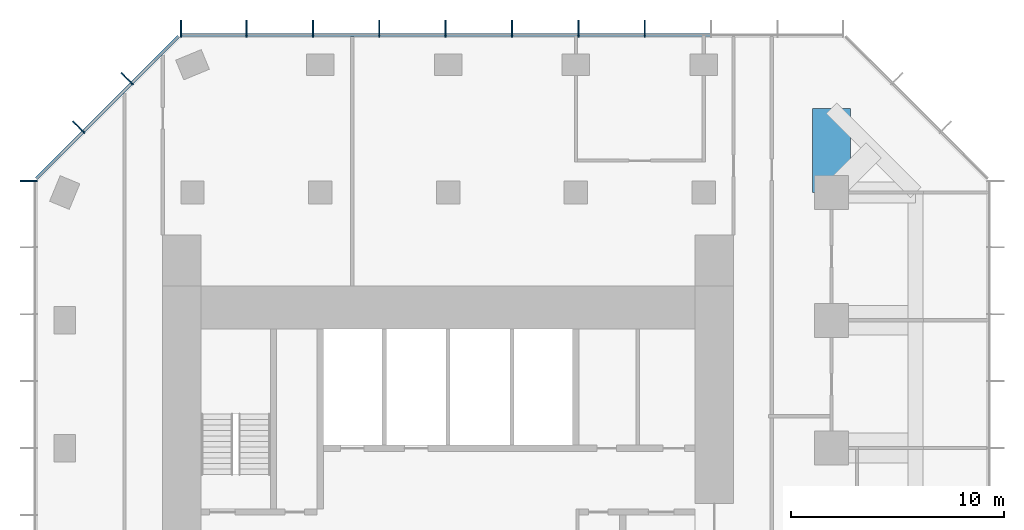
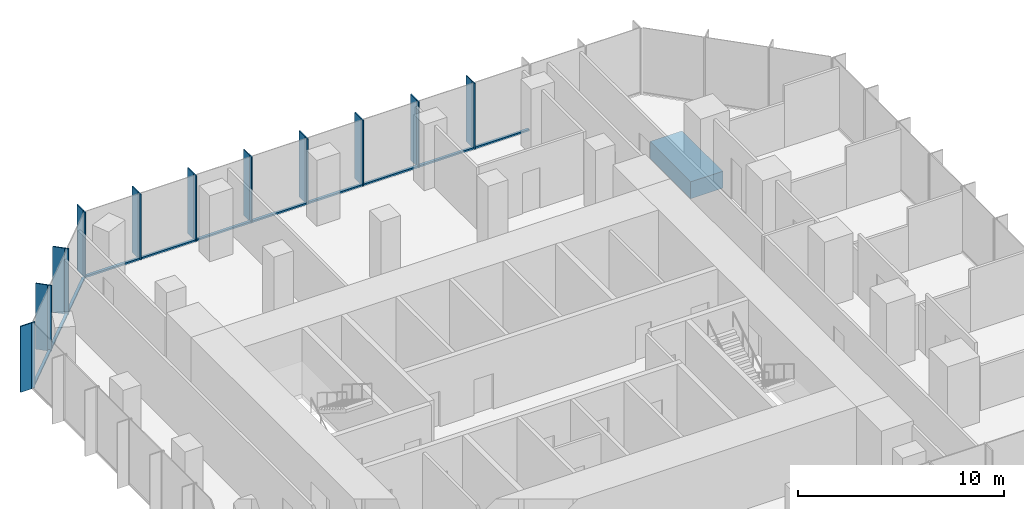
# One storey, part 5 of 10: 33 members, 1 beam, 3 elements without a shape of their own.
"""IFC4 building model written with IfcOpenShell, lengths in metres."""

from ifc_helpers import new_model, si_unit, direction, frame, origin, origin_2d, place, context, subcontext, project, spatial, rectangle, extrude, material, layer, layer_set, material_profile, profile_set, type_object, element, aggregate, save


model = new_model("IFC4")

# Units and contexts
model_context = context("Model", 3, precision=1e-05, world=origin(), true_north=direction((0.0, 1.0)))
body_context = subcontext(model_context, "Body", "Model", "MODEL_VIEW")
ifc_project = project(units=[si_unit("LENGTHUNIT", "METRE"), si_unit("AREAUNIT", "SQUARE_METRE"), si_unit("VOLUMEUNIT", "CUBIC_METRE"), si_unit("PLANEANGLEUNIT", "RADIAN"), si_unit("MASSUNIT", "GRAM", prefix="KILO")], contexts=[model_context])

# Site, building, storey
site_placement = place(None, origin())
site = spatial("IfcSite", under=ifc_project, at=site_placement, CompositionType="ELEMENT")
building_placement = place(site_placement, origin())
building = spatial("IfcBuilding", under=site, at=building_placement, Name="Highveld Stack Headquarters", CompositionType="ELEMENT")
storey_placement = place(building_placement, frame((0.0, 0.0, 248.89990234375)))
storey = spatial("IfcBuildingStorey", under=building, at=storey_placement, Name="L61", CompositionType="ELEMENT", Elevation=248.89990234375)

# Beam
ifc_material_1 = material(Name="Concrete C60/75", Category="concrete")
ifc_material_profile_1 = material_profile(ifc_material_1, rectangle(XDim=1.800048828125, YDim=1.0, at=origin_2d()), Name="RC 1800x1000")
ifc_profile_set_1 = profile_set([ifc_material_profile_1], Name="Concrete C60/75")
beam_type = type_object("IfcBeamType", Name="CANTILEVER RIB RC 1800x1000", PredefinedType="USERDEFINED", material=ifc_profile_set_1)
beam_placement = place(storey_placement, frame((24.0, 18.0, -0.75), z_axis=(0.0, 1.0, 0.0), x_axis=(-1.0, 0.0, 0.0)))
element("IfcBeam", 1, at=beam_placement, inside=storey, type_object=beam_type, Name="Cantilever rib 10/H L61", ObjectType="CANTILEVER RIB", PredefinedType="USERDEFINED", context=body_context, shape_type="SweptSolid", body=[
    extrude(rectangle(XDim=1.800048828125, YDim=1.0, at=origin_2d()), origin(), (0.0, 0.0, 1.0), 3.949951171875),
])

# Curtain wall, members
ifc_material_2 = material(Name="Aluminium bronze anodised", Category="aluminium")
ifc_layer = layer(ifc_material_2, 0.199951171875)
ifc_layer_set = layer_set([ifc_layer], Name="Aluminium bronze anodised")
curtain_wall_type = type_object("IfcCurtainWallType", Name="CW5 EXECUTIVE UNITISED CURTAIN WALL", PredefinedType="NOTDEFINED", material=ifc_layer_set)
curtain_wall_1_placement = place(storey_placement, origin())
curtain_wall_1 = element("IfcCurtainWall", 2, at=curtain_wall_1_placement, inside=storey, type_object=curtain_wall_type, Name="Curtain wall CW5 L61 N", PredefinedType="NOTDEFINED")
ifc_material_3 = material(Name="Aluminium bronze anodised", Category="aluminium")
ifc_material_profile_2 = material_profile(ifc_material_3, rectangle(XDim=0.60009765625, YDim=0.06005859375, at=origin_2d()), Name="FIN 600x60")
ifc_profile_set_2 = profile_set([ifc_material_profile_2], Name="Aluminium bronze anodised")
member_type_1 = type_object("IfcMemberType", Name="CW5 BRONZE FIN 600x60", PredefinedType="USERDEFINED", material=ifc_profile_set_2)
member_1_placement = place(storey_placement, frame((15.23193359375, 25.800048828125, 0.0), z_axis=(0.0, 0.0, 1.0), x_axis=(0.0, -1.0, 0.0)))
member_1 = element("IfcMember", 3, at=member_1_placement, type_object=member_type_1, Name="CW5 fin L61 4", ObjectType="FIN", PredefinedType="USERDEFINED", context=body_context, shape_type="SweptSolid", body=[
    extrude(rectangle(XDim=0.60009765625, YDim=0.06005859375, at=origin_2d()), origin(), (0.0, 0.0, 1.0), 3.900146484375),
])
member_2_placement = place(storey_placement, frame((12.115966796875, 25.800048828125, 0.0), z_axis=(0.0, 0.0, 1.0), x_axis=(0.0, -1.0, 0.0)))
member_2 = element("IfcMember", 4, at=member_2_placement, type_object=member_type_1, Name="CW5 fin L61 5", ObjectType="FIN", PredefinedType="USERDEFINED", context=body_context, shape_type="SweptSolid", body=[
    extrude(rectangle(XDim=0.60009765625, YDim=0.06005859375, at=origin_2d()), origin(), (0.0, 0.0, 1.0), 3.900146484375),
])
member_3_placement = place(storey_placement, frame((9.0, 25.800048828125, 0.0), z_axis=(0.0, 0.0, 1.0), x_axis=(0.0, -1.0, 0.0)))
member_3 = element("IfcMember", 5, at=member_3_placement, type_object=member_type_1, Name="CW5 fin L61 6", ObjectType="FIN", PredefinedType="USERDEFINED", context=body_context, shape_type="SweptSolid", body=[
    extrude(rectangle(XDim=0.60009765625, YDim=0.06005859375, at=origin_2d()), origin(), (0.0, 0.0, 1.0), 3.900146484375),
])
member_4_placement = place(storey_placement, frame((5.884033203125, 25.800048828125, 0.0), z_axis=(0.0, 0.0, 1.0), x_axis=(0.0, -1.0, 0.0)))
member_4 = element("IfcMember", 6, at=member_4_placement, type_object=member_type_1, Name="CW5 fin L61 7", ObjectType="FIN", PredefinedType="USERDEFINED", context=body_context, shape_type="SweptSolid", body=[
    extrude(rectangle(XDim=0.60009765625, YDim=0.06005859375, at=origin_2d()), origin(), (0.0, 0.0, 1.0), 3.900146484375),
])
member_5_placement = place(storey_placement, frame((2.76806640625, 25.800048828125, 0.0), z_axis=(0.0, 0.0, 1.0), x_axis=(0.0, -1.0, 0.0)))
member_5 = element("IfcMember", 7, at=member_5_placement, type_object=member_type_1, Name="CW5 fin L61 8", ObjectType="FIN", PredefinedType="USERDEFINED", context=body_context, shape_type="SweptSolid", body=[
    extrude(rectangle(XDim=0.60009765625, YDim=0.06005859375, at=origin_2d()), origin(), (0.0, 0.0, 1.0), 3.900146484375),
])
member_6_placement = place(storey_placement, frame((-0.347900390625, 25.800048828125, 0.0), z_axis=(0.0, 0.0, 1.0), x_axis=(0.0, -1.0, 0.0)))
member_6 = element("IfcMember", 8, at=member_6_placement, type_object=member_type_1, Name="CW5 fin L61 9", ObjectType="FIN", PredefinedType="USERDEFINED", context=body_context, shape_type="SweptSolid", body=[
    extrude(rectangle(XDim=0.60009765625, YDim=0.06005859375, at=origin_2d()), origin(), (0.0, 0.0, 1.0), 3.900146484375),
])
member_7_placement = place(storey_placement, frame((-3.4638671875, 25.800048828125, 0.0), z_axis=(0.0, 0.0, 1.0), x_axis=(0.0, -1.0, 0.0)))
member_7 = element("IfcMember", 9, at=member_7_placement, type_object=member_type_1, Name="CW5 fin L61 10", ObjectType="FIN", PredefinedType="USERDEFINED", context=body_context, shape_type="SweptSolid", body=[
    extrude(rectangle(XDim=0.60009765625, YDim=0.06005859375, at=origin_2d()), origin(), (0.0, 0.0, 1.0), 3.900146484375),
])
member_8_placement = place(storey_placement, frame((-6.54736328125, 25.800048828125, 0.0), z_axis=(0.0, 0.0, 1.0), x_axis=(0.0, -1.0, 0.0)))
member_8 = element("IfcMember", 10, at=member_8_placement, type_object=member_type_1, Name="CW5 fin L61 11", ObjectType="FIN", PredefinedType="USERDEFINED", context=body_context, shape_type="SweptSolid", body=[
    extrude(rectangle(XDim=0.60009765625, YDim=0.06005859375, at=origin_2d()), origin(), (0.0, 0.0, 1.0), 3.900146484375),
])

curtain_wall_2_placement = place(storey_placement, origin())
curtain_wall_2 = element("IfcCurtainWall", 11, at=curtain_wall_2_placement, inside=storey, type_object=curtain_wall_type, Name="Curtain wall CW5 L61 NW", PredefinedType="NOTDEFINED")
member_9_placement = place(storey_placement, frame((-9.135986328125, 23.409423828125, 0.0), z_axis=(0.0, 0.0, 1.0), x_axis=(0.707106781187, -0.707106781187, 0.0)))
member_9 = element("IfcMember", 12, at=member_9_placement, type_object=member_type_1, Name="CW5 fin L61 1", ObjectType="FIN", PredefinedType="USERDEFINED", context=body_context, shape_type="SweptSolid", body=[
    extrude(rectangle(XDim=0.60009765625, YDim=0.06005859375, at=origin_2d()), origin(), (0.0, 0.0, 1.0), 3.900146484375),
])
member_10_placement = place(storey_placement, frame((-11.409423828125, 21.135986328125, 0.0), z_axis=(0.0, 0.0, 1.0), x_axis=(0.707106781187, -0.707106781187, 0.0)))
member_10 = element("IfcMember", 13, at=member_10_placement, type_object=member_type_1, Name="CW5 fin L61 2", ObjectType="FIN", PredefinedType="USERDEFINED", context=body_context, shape_type="SweptSolid", body=[
    extrude(rectangle(XDim=0.60009765625, YDim=0.06005859375, at=origin_2d()), origin(), (0.0, 0.0, 1.0), 3.900146484375),
])

# Curtain wall, member
curtain_wall_3_placement = place(storey_placement, origin())
curtain_wall_3 = element("IfcCurtainWall", 14, at=curtain_wall_3_placement, inside=storey, type_object=curtain_wall_type, Name="Curtain wall CW5 L61 W", PredefinedType="NOTDEFINED")
member_11_placement = place(storey_placement, frame((-13.800048828125, 18.54736328125, 0.0), z_axis=(0.0, 0.0, 1.0), x_axis=(1.0, 0.0, 0.0)))
member_11 = element("IfcMember", 15, at=member_11_placement, type_object=member_type_1, Name="CW5 fin L61 1", ObjectType="FIN", PredefinedType="USERDEFINED", context=body_context, shape_type="SweptSolid", body=[
    extrude(rectangle(XDim=0.60009765625, YDim=0.06005859375, at=origin_2d()), origin(), (0.0, 0.0, 1.0), 3.900146484375),
])

# Member
ifc_material_4 = material(Name="Aluminium bronze anodised", Category="aluminium")
ifc_material_profile_3 = material_profile(ifc_material_4, rectangle(XDim=0.199951171875, YDim=0.06494140625, at=origin_2d()), Name="CW5 MULLION 65x200")
ifc_profile_set_3 = profile_set([ifc_material_profile_3], Name="Aluminium bronze anodised")
member_type_2 = type_object("IfcMemberType", Name="CW5 MULLION 65x200", PredefinedType="MULLION", material=ifc_profile_set_3)
member_12_placement = place(storey_placement, frame((15.23193359375, 25.39990234375, 0.0), z_axis=(0.0, 0.0, 1.0), x_axis=(0.0, -1.0, 0.0)))
member_12 = element("IfcMember", 16, at=member_12_placement, type_object=member_type_2, Name="CW5 mullion L61 4", PredefinedType="MULLION", context=body_context, shape_type="SweptSolid", body=[
    extrude(rectangle(XDim=0.199951171875, YDim=0.06494140625, at=origin_2d()), origin(), (0.0, 0.0, 1.0), 3.900146484375),
])

member_13_placement = place(storey_placement, frame((12.115966796875, 25.39990234375, 0.0), z_axis=(0.0, 0.0, 1.0), x_axis=(0.0, -1.0, 0.0)))
member_13 = element("IfcMember", 17, at=member_13_placement, type_object=member_type_2, Name="CW5 mullion L61 5", PredefinedType="MULLION", context=body_context, shape_type="SweptSolid", body=[
    extrude(rectangle(XDim=0.199951171875, YDim=0.06494140625, at=origin_2d()), origin(), (0.0, 0.0, 1.0), 3.900146484375),
])

member_14_placement = place(storey_placement, frame((9.0, 25.39990234375, 0.0), z_axis=(0.0, 0.0, 1.0), x_axis=(0.0, -1.0, 0.0)))
member_14 = element("IfcMember", 18, at=member_14_placement, type_object=member_type_2, Name="CW5 mullion L61 6", PredefinedType="MULLION", context=body_context, shape_type="SweptSolid", body=[
    extrude(rectangle(XDim=0.199951171875, YDim=0.06494140625, at=origin_2d()), origin(), (0.0, 0.0, 1.0), 3.900146484375),
])

member_15_placement = place(storey_placement, frame((5.884033203125, 25.39990234375, 0.0), z_axis=(0.0, 0.0, 1.0), x_axis=(0.0, -1.0, 0.0)))
member_15 = element("IfcMember", 19, at=member_15_placement, type_object=member_type_2, Name="CW5 mullion L61 7", PredefinedType="MULLION", context=body_context, shape_type="SweptSolid", body=[
    extrude(rectangle(XDim=0.199951171875, YDim=0.06494140625, at=origin_2d()), origin(), (0.0, 0.0, 1.0), 3.900146484375),
])

member_16_placement = place(storey_placement, frame((2.76806640625, 25.39990234375, 0.0), z_axis=(0.0, 0.0, 1.0), x_axis=(0.0, -1.0, 0.0)))
member_16 = element("IfcMember", 20, at=member_16_placement, type_object=member_type_2, Name="CW5 mullion L61 8", PredefinedType="MULLION", context=body_context, shape_type="SweptSolid", body=[
    extrude(rectangle(XDim=0.199951171875, YDim=0.06494140625, at=origin_2d()), origin(), (0.0, 0.0, 1.0), 3.900146484375),
])

member_17_placement = place(storey_placement, frame((-0.347900390625, 25.39990234375, 0.0), z_axis=(0.0, 0.0, 1.0), x_axis=(0.0, -1.0, 0.0)))
member_17 = element("IfcMember", 21, at=member_17_placement, type_object=member_type_2, Name="CW5 mullion L61 9", PredefinedType="MULLION", context=body_context, shape_type="SweptSolid", body=[
    extrude(rectangle(XDim=0.199951171875, YDim=0.06494140625, at=origin_2d()), origin(), (0.0, 0.0, 1.0), 3.900146484375),
])

member_18_placement = place(storey_placement, frame((-3.4638671875, 25.39990234375, 0.0), z_axis=(0.0, 0.0, 1.0), x_axis=(0.0, -1.0, 0.0)))
member_18 = element("IfcMember", 22, at=member_18_placement, type_object=member_type_2, Name="CW5 mullion L61 10", PredefinedType="MULLION", context=body_context, shape_type="SweptSolid", body=[
    extrude(rectangle(XDim=0.199951171875, YDim=0.06494140625, at=origin_2d()), origin(), (0.0, 0.0, 1.0), 3.900146484375),
])

member_19_placement = place(storey_placement, frame((-6.54736328125, 25.39990234375, 0.0), z_axis=(0.0, 0.0, 1.0), x_axis=(0.0, -1.0, 0.0)))
member_19 = element("IfcMember", 23, at=member_19_placement, type_object=member_type_2, Name="CW5 mullion L61 11", PredefinedType="MULLION", context=body_context, shape_type="SweptSolid", body=[
    extrude(rectangle(XDim=0.199951171875, YDim=0.06494140625, at=origin_2d()), origin(), (0.0, 0.0, 1.0), 3.900146484375),
])

member_20_placement = place(storey_placement, frame((-8.853271484375, 23.126708984375, 0.0), z_axis=(0.0, 0.0, 1.0), x_axis=(0.707106781187, -0.707106781187, 0.0)))
member_20 = element("IfcMember", 24, at=member_20_placement, type_object=member_type_2, Name="CW5 mullion L61 1", PredefinedType="MULLION", context=body_context, shape_type="SweptSolid", body=[
    extrude(rectangle(XDim=0.199951171875, YDim=0.06494140625, at=origin_2d()), origin(), (0.0, 0.0, 1.0), 3.900146484375),
])

member_21_placement = place(storey_placement, frame((-11.126708984375, 20.853271484375, 0.0), z_axis=(0.0, 0.0, 1.0), x_axis=(0.707106781187, -0.707106781187, 0.0)))
member_21 = element("IfcMember", 25, at=member_21_placement, type_object=member_type_2, Name="CW5 mullion L61 2", PredefinedType="MULLION", context=body_context, shape_type="SweptSolid", body=[
    extrude(rectangle(XDim=0.199951171875, YDim=0.06494140625, at=origin_2d()), origin(), (0.0, 0.0, 1.0), 3.900146484375),
])

member_22_placement = place(storey_placement, frame((-13.39990234375, 18.54736328125, 0.0), z_axis=(0.0, 0.0, 1.0), x_axis=(1.0, 0.0, 0.0)))
member_22 = element("IfcMember", 26, at=member_22_placement, type_object=member_type_2, Name="CW5 mullion L61 1", PredefinedType="MULLION", context=body_context, shape_type="SweptSolid", body=[
    extrude(rectangle(XDim=0.199951171875, YDim=0.06494140625, at=origin_2d()), origin(), (0.0, 0.0, 1.0), 3.900146484375),
])

aggregate(curtain_wall_3, [member_22, member_11])

ifc_material_5 = material(Name="Aluminium bronze anodised", Category="aluminium")
ifc_material_profile_4 = material_profile(ifc_material_5, rectangle(XDim=0.14990234375, YDim=0.10009765625, at=origin_2d()), Name="CW5 TRANSOM 150x100")
ifc_profile_set_4 = profile_set([ifc_material_profile_4], Name="Aluminium bronze anodised")
member_type_3 = type_object("IfcMemberType", Name="CW5 STACK TRANSOM 150x100", PredefinedType="USERDEFINED", material=ifc_profile_set_4)
member_23_placement = place(storey_placement, frame((18.3154296875, 25.39990234375, 0.050048828125), z_axis=(-1.0, 0.0, 0.0), x_axis=(0.0, -1.0, 0.0)))
member_23 = element("IfcMember", 27, at=member_23_placement, type_object=member_type_3, Name="CW5 transom L61 3.1", ObjectType="TRANSOM", PredefinedType="USERDEFINED", context=body_context, shape_type="SweptSolid", body=[
    extrude(rectangle(XDim=0.14990234375, YDim=0.10009765625, at=origin_2d()), origin(), (0.0, 0.0, 1.0), 3.051025390625),
])

member_24_placement = place(storey_placement, frame((15.199462890625, 25.39990234375, 0.050048828125), z_axis=(-1.0, 0.0, 0.0), x_axis=(0.0, -1.0, 0.0)))
member_24 = element("IfcMember", 28, at=member_24_placement, type_object=member_type_3, Name="CW5 transom L61 4.1", ObjectType="TRANSOM", PredefinedType="USERDEFINED", context=body_context, shape_type="SweptSolid", body=[
    extrude(rectangle(XDim=0.14990234375, YDim=0.10009765625, at=origin_2d()), origin(), (0.0, 0.0, 1.0), 3.051025390625),
])

member_25_placement = place(storey_placement, frame((12.08349609375, 25.39990234375, 0.050048828125), z_axis=(-1.0, 0.0, 0.0), x_axis=(0.0, -1.0, 0.0)))
member_25 = element("IfcMember", 29, at=member_25_placement, type_object=member_type_3, Name="CW5 transom L61 5.1", ObjectType="TRANSOM", PredefinedType="USERDEFINED", context=body_context, shape_type="SweptSolid", body=[
    extrude(rectangle(XDim=0.14990234375, YDim=0.10009765625, at=origin_2d()), origin(), (0.0, 0.0, 1.0), 3.051025390625),
])

member_26_placement = place(storey_placement, frame((8.967529296875, 25.39990234375, 0.050048828125), z_axis=(-1.0, 0.0, 0.0), x_axis=(0.0, -1.0, 0.0)))
member_26 = element("IfcMember", 30, at=member_26_placement, type_object=member_type_3, Name="CW5 transom L61 6.1", ObjectType="TRANSOM", PredefinedType="USERDEFINED", context=body_context, shape_type="SweptSolid", body=[
    extrude(rectangle(XDim=0.14990234375, YDim=0.10009765625, at=origin_2d()), origin(), (0.0, 0.0, 1.0), 3.051025390625),
])

member_27_placement = place(storey_placement, frame((5.8515625, 25.39990234375, 0.050048828125), z_axis=(-1.0, 0.0, 0.0), x_axis=(0.0, -1.0, 0.0)))
member_27 = element("IfcMember", 31, at=member_27_placement, type_object=member_type_3, Name="CW5 transom L61 7.1", ObjectType="TRANSOM", PredefinedType="USERDEFINED", context=body_context, shape_type="SweptSolid", body=[
    extrude(rectangle(XDim=0.14990234375, YDim=0.10009765625, at=origin_2d()), origin(), (0.0, 0.0, 1.0), 3.051025390625),
])

member_28_placement = place(storey_placement, frame((2.735595703125, 25.39990234375, 0.050048828125), z_axis=(-1.0, 0.0, 0.0), x_axis=(0.0, -1.0, 0.0)))
member_28 = element("IfcMember", 32, at=member_28_placement, type_object=member_type_3, Name="CW5 transom L61 8.1", ObjectType="TRANSOM", PredefinedType="USERDEFINED", context=body_context, shape_type="SweptSolid", body=[
    extrude(rectangle(XDim=0.14990234375, YDim=0.10009765625, at=origin_2d()), origin(), (0.0, 0.0, 1.0), 3.051025390625),
])

member_29_placement = place(storey_placement, frame((-0.38037109375, 25.39990234375, 0.050048828125), z_axis=(-1.0, 0.0, 0.0), x_axis=(0.0, -1.0, 0.0)))
member_29 = element("IfcMember", 33, at=member_29_placement, type_object=member_type_3, Name="CW5 transom L61 9.1", ObjectType="TRANSOM", PredefinedType="USERDEFINED", context=body_context, shape_type="SweptSolid", body=[
    extrude(rectangle(XDim=0.14990234375, YDim=0.10009765625, at=origin_2d()), origin(), (0.0, 0.0, 1.0), 3.051025390625),
])

member_30_placement = place(storey_placement, frame((-3.496337890625, 25.39990234375, 0.050048828125), z_axis=(-1.0, 0.0, 0.0), x_axis=(0.0, -1.0, 0.0)))
member_30 = element("IfcMember", 34, at=member_30_placement, type_object=member_type_3, Name="CW5 transom L61 10.1", ObjectType="TRANSOM", PredefinedType="USERDEFINED", context=body_context, shape_type="SweptSolid", body=[
    extrude(rectangle(XDim=0.14990234375, YDim=0.10009765625, at=origin_2d()), origin(), (0.0, 0.0, 1.0), 3.0185546875),
])

aggregate(curtain_wall_1, [member_12, member_1, member_13, member_2, member_14, member_3, member_15, member_4, member_16, member_5, member_17, member_6, member_18, member_7, member_19, member_8, member_23, member_24, member_25, member_26, member_27, member_28, member_29, member_30])

member_31_placement = place(storey_placement, frame((-6.650634765625, 25.329345703125, 0.050048828125), z_axis=(-0.707106781187, -0.707106781187, 0.0), x_axis=(0.707106781187, -0.707106781187, 0.0)))
member_31 = element("IfcMember", 35, at=member_31_placement, type_object=member_type_3, Name="CW5 transom L61 1.1", ObjectType="TRANSOM", PredefinedType="USERDEFINED", context=body_context, shape_type="SweptSolid", body=[
    extrude(rectangle(XDim=0.14990234375, YDim=0.10009765625, at=origin_2d()), origin(), (0.0, 0.0, 1.0), 3.08251953125),
])

member_32_placement = place(storey_placement, frame((-8.876220703125, 23.103759765625, 0.050048828125), z_axis=(-0.707106781187, -0.707106781187, 0.0), x_axis=(0.707106781187, -0.707106781187, 0.0)))
member_32 = element("IfcMember", 36, at=member_32_placement, type_object=member_type_3, Name="CW5 transom L61 2.1", ObjectType="TRANSOM", PredefinedType="USERDEFINED", context=body_context, shape_type="SweptSolid", body=[
    extrude(rectangle(XDim=0.14990234375, YDim=0.10009765625, at=origin_2d()), origin(), (0.0, 0.0, 1.0), 3.150146484375),
])

member_33_placement = place(storey_placement, frame((-11.149658203125, 20.830322265625, 0.050048828125), z_axis=(-0.707106781187, -0.707106781187, 0.0), x_axis=(0.707106781187, -0.707106781187, 0.0)))
member_33 = element("IfcMember", 37, at=member_33_placement, type_object=member_type_3, Name="CW5 transom L61 3.1", ObjectType="TRANSOM", PredefinedType="USERDEFINED", context=body_context, shape_type="SweptSolid", body=[
    extrude(rectangle(XDim=0.14990234375, YDim=0.10009765625, at=origin_2d()), origin(), (0.0, 0.0, 1.0), 3.08251953125),
])

aggregate(curtain_wall_2, [member_20, member_9, member_21, member_10, member_31, member_32, member_33])

save(model, "model.ifc")
